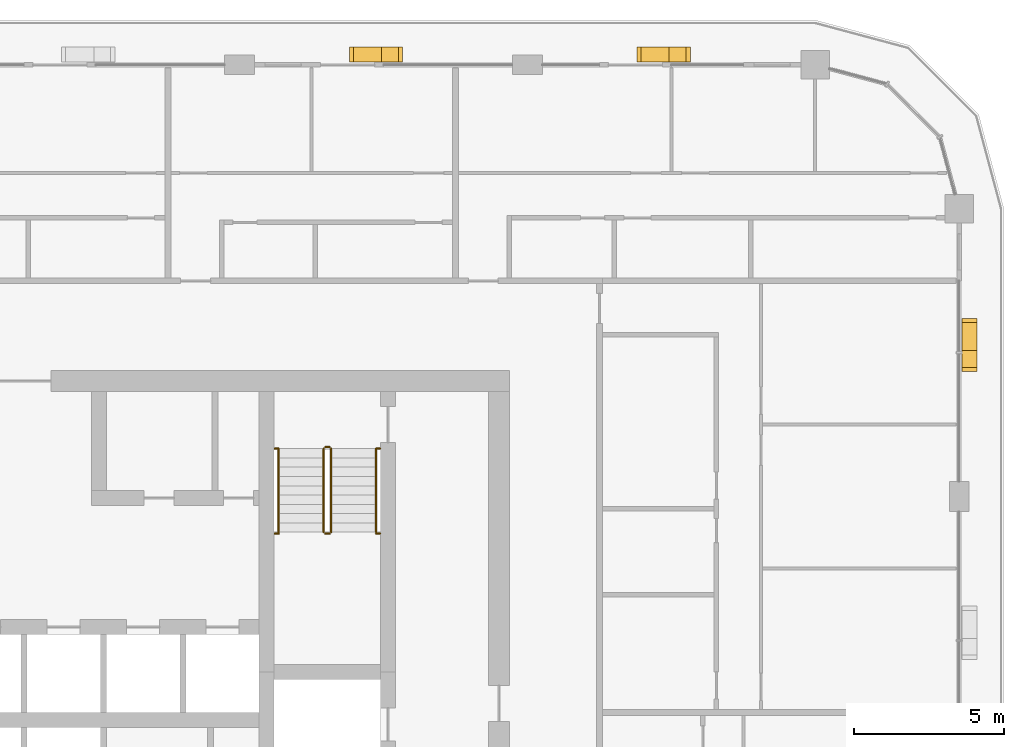
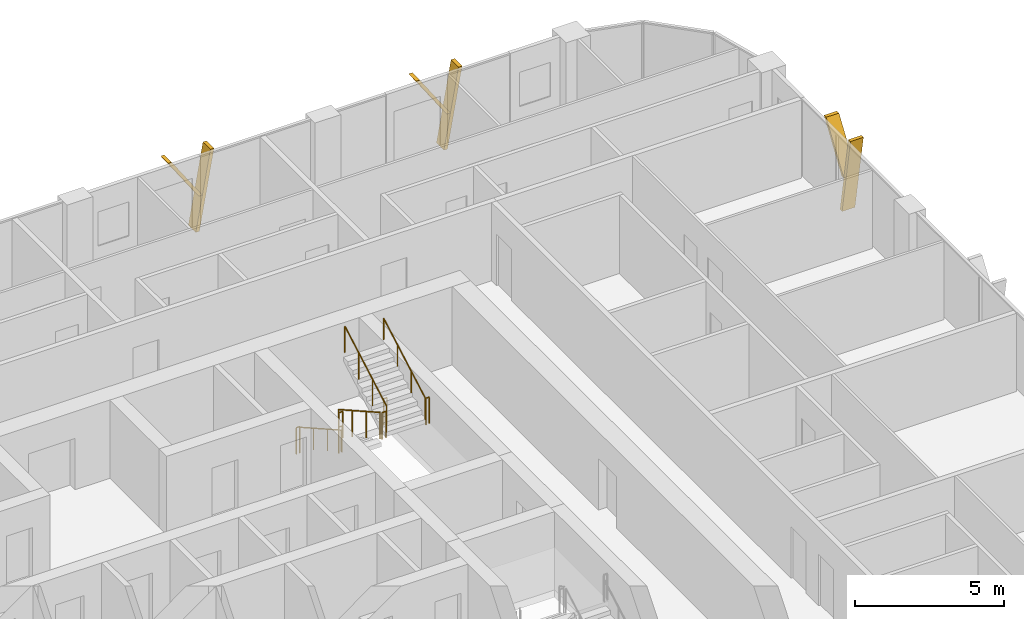
# One storey, part 22 of 22: 10 railings, 6 shading devices.
"""IFC4 building model written with IfcOpenShell, lengths in metres."""

from ifc_helpers import new_model, si_unit, direction, frame, origin, origin_2d, place, context, subcontext, project, spatial, polyline, circle, outline, extrude, material, type_object, element, save


model = new_model("IFC4")

# Units and contexts
model_context = context("Model", 3, precision=1e-05, world=origin(), true_north=direction((0.0, 1.0)))
body_context = subcontext(model_context, "Body", "Model", "MODEL_VIEW")
ifc_project = project(units=[si_unit("LENGTHUNIT", "METRE"), si_unit("AREAUNIT", "SQUARE_METRE"), si_unit("VOLUMEUNIT", "CUBIC_METRE"), si_unit("PLANEANGLEUNIT", "RADIAN"), si_unit("MASSUNIT", "GRAM", prefix="KILO")], contexts=[model_context])

# Site, building, storey
site_placement = place(None, origin())
site = spatial("IfcSite", under=ifc_project, at=site_placement, CompositionType="ELEMENT")
building_placement = place(site_placement, origin())
building = spatial("IfcBuilding", under=site, at=building_placement, Name="Madar Terraces", CompositionType="ELEMENT")
storey_placement = place(building_placement, frame((0.0, 0.0, 192.89990234375)))
storey = spatial("IfcBuildingStorey", under=building, at=storey_placement, Name="L50", CompositionType="ELEMENT", Elevation=192.89990234375)

# Shading devices
ifc_material_1 = material(Name="Aluminium, black anodised", Category="aluminium")
shading_device_type = type_object("IfcShadingDeviceType", Name="Facade fin blade 140 x 500", PredefinedType="USERDEFINED", material=ifc_material_1)
shading_device_1_placement = place(storey_placement, frame((62.75, 38.330078125, 0.0), z_axis=(0.0, 0.0, 1.0), x_axis=(0.0, 1.0, 0.0)))
element("IfcShadingDevice", 1, at=shading_device_1_placement, inside=storey, type_object=shading_device_type, Name="FIN L50 E4", ObjectType="FIN", PredefinedType="USERDEFINED", context=body_context, shape_type="SweptSolid", body=[
    extrude(outline(polyline([(0.0, 0.0), (0.139892578125, 0.0), (-0.42431640625, 3.2001953125), (-0.564208984375, 3.2001953125), (0.0, 0.0)])), frame((0.0, 0.25, 0.0), z_axis=(0.0, -1.0, 0.0), x_axis=(1.0, 0.0, 0.0)), (0.0, 0.0, 1.0), 0.5),
])
shading_device_2_placement = place(storey_placement, frame((62.75, 38.216064453125, 1.440185546875), z_axis=(0.0, 0.0, 1.0), x_axis=(0.0, 1.0, 0.0)))
element("IfcShadingDevice", 2, at=shading_device_2_placement, inside=storey, type_object=shading_device_type, Name="FIN L50 E4 branch", ObjectType="FIN", PredefinedType="USERDEFINED", context=body_context, shape_type="SweptSolid", body=[
    extrude(outline(polyline([(0.0, 0.0), (0.14013671875, 0.0), (1.32958984375, 1.760009765625), (1.189697265625, 1.760009765625), (0.0, 0.0)])), frame((0.0, 0.25, 0.0), z_axis=(0.0, -1.0, 0.0), x_axis=(1.0, 0.0, 0.0)), (0.0, 0.0, 1.0), 0.5),
])
shading_device_3_placement = place(storey_placement, frame((52.8701171875, 48.35009765625, 0.0), z_axis=(0.0, 0.0, 1.0), x_axis=(-1.0, 0.0, 0.0)))
element("IfcShadingDevice", 3, at=shading_device_3_placement, inside=storey, type_object=shading_device_type, Name="FIN L50 N1", ObjectType="FIN", PredefinedType="USERDEFINED", context=body_context, shape_type="SweptSolid", body=[
    extrude(outline(polyline([(0.0, 0.0), (0.14013671875, 0.0), (-0.42431640625, 3.2001953125), (-0.564208984375, 3.2001953125), (0.0, 0.0)])), frame((0.0, 0.25, 0.0), z_axis=(0.0, -1.0, 0.0), x_axis=(1.0, 0.0, 0.0)), (0.0, 0.0, 1.0), 0.5),
])
shading_device_4_placement = place(storey_placement, frame((52.98388671875, 48.35009765625, 1.440185546875), z_axis=(0.0, 0.0, 1.0), x_axis=(-1.0, 0.0, 0.0)))
element("IfcShadingDevice", 4, at=shading_device_4_placement, inside=storey, type_object=shading_device_type, Name="FIN L50 N1 branch", ObjectType="FIN", PredefinedType="USERDEFINED", context=body_context, shape_type="SweptSolid", body=[
    extrude(outline(polyline([(0.0, 0.0), (0.139892578125, 0.0), (1.32958984375, 1.760009765625), (1.189697265625, 1.760009765625), (0.0, 0.0)])), frame((0.0, 0.25, 0.0), z_axis=(0.0, -1.0, 0.0), x_axis=(1.0, 0.0, 0.0)), (0.0, 0.0, 1.0), 0.5),
])
shading_device_5_placement = place(storey_placement, frame((43.27001953125, 48.35009765625, 0.0), z_axis=(0.0, 0.0, 1.0), x_axis=(-1.0, 0.0, 0.0)))
element("IfcShadingDevice", 5, at=shading_device_5_placement, inside=storey, type_object=shading_device_type, Name="FIN L50 N2", ObjectType="FIN", PredefinedType="USERDEFINED", context=body_context, shape_type="SweptSolid", body=[
    extrude(outline(polyline([(0.0, 0.0), (0.14013671875, 0.0), (-0.42431640625, 3.2001953125), (-0.564208984375, 3.2001953125), (0.0, 0.0)])), frame((0.0, 0.25, 0.0), z_axis=(0.0, -1.0, 0.0), x_axis=(1.0, 0.0, 0.0)), (0.0, 0.0, 1.0), 0.5),
])
shading_device_6_placement = place(storey_placement, frame((43.3837890625, 48.35009765625, 1.440185546875), z_axis=(0.0, 0.0, 1.0), x_axis=(-1.0, 0.0, 0.0)))
element("IfcShadingDevice", 6, at=shading_device_6_placement, inside=storey, type_object=shading_device_type, Name="FIN L50 N2 branch", ObjectType="FIN", PredefinedType="USERDEFINED", context=body_context, shape_type="SweptSolid", body=[
    extrude(outline(polyline([(0.0, 0.0), (0.139892578125, 0.0), (1.32958984375, 1.760009765625), (1.189697265625, 1.760009765625), (0.0, 0.0)])), frame((0.0, 0.25, 0.0), z_axis=(0.0, -1.0, 0.0), x_axis=(1.0, 0.0, 0.0)), (0.0, 0.0, 1.0), 0.5),
])

# Railings
ifc_material_2 = material(Name="Stainless steel railing", Category="steel")
railing_type_1 = type_object("IfcRailingType", Name="Stair guard 1100", PredefinedType="GUARDRAIL", material=ifc_material_2)
railing_1_placement = place(storey_placement, frame((41.199951171875, 35.199951171875, 0.175048828125)))
element("IfcRailing", 7, at=railing_1_placement, inside=storey, type_object=railing_type_1, Name="L50 ST2 stair guard 1", PredefinedType="GUARDRAIL", context=body_context, shape_type="SweptSolid", body=[
    extrude(circle(Radius=0.02392578125, at=origin_2d()), frame((0.0, 0.0, 1.076171875), z_axis=(0.0, -0.870833779661, 0.491577591232), x_axis=(1.0, 0.0, 0.0)), (0.0, 0.0, 1.0), 3.203857421875),
    extrude(circle(Radius=0.02099609375, at=origin_2d()), origin(), (0.0, 0.0, 1.0), 1.052001953125),
    extrude(circle(Radius=0.02099609375, at=origin_2d()), frame((0.0, -0.929931640625, 0.52490234375)), (0.0, 0.0, 1.0), 1.052001953125),
    extrude(circle(Radius=0.02099609375, at=origin_2d()), frame((0.0, -1.860107421875, 1.050048828125)), (0.0, 0.0, 1.0), 1.052001953125),
    extrude(circle(Radius=0.02099609375, at=origin_2d()), frame((0.0, -2.7900390625, 1.574951171875)), (0.0, 0.0, 1.0), 1.052001953125),
])
railing_2_placement = place(storey_placement, frame((41.25, 32.360107421875, 1.75)))
element("IfcRailing", 8, at=railing_2_placement, inside=storey, type_object=railing_type_1, Name="L50 ST2 stair guard 2", PredefinedType="GUARDRAIL", context=body_context, shape_type="SweptSolid", body=[
    extrude(circle(Radius=0.02392578125, at=origin_2d()), frame((0.0, 0.0, 1.076171875), z_axis=(1.0, 0.0, 0.0), x_axis=(0.0, 1.0, 0.0)), (0.0, 0.0, 1.0), 0.14990234375),
    extrude(circle(Radius=0.02099609375, at=origin_2d()), origin(), (0.0, 0.0, 1.0), 1.052001953125),
    extrude(circle(Radius=0.02099609375, at=origin_2d()), frame((0.14990234375, 0.0, 0.0)), (0.0, 0.0, 1.0), 1.052001953125),
])
railing_3_placement = place(storey_placement, frame((41.449951171875, 32.409912109375, 1.925048828125)))
element("IfcRailing", 9, at=railing_3_placement, inside=storey, type_object=railing_type_1, Name="L50 ST2 stair guard 3", PredefinedType="GUARDRAIL", context=body_context, shape_type="SweptSolid", body=[
    extrude(circle(Radius=0.02392578125, at=origin_2d()), frame((0.0, 0.0, 1.076171875), z_axis=(0.0, 0.870833779661, 0.491577591232), x_axis=(-1.0, 0.0, 0.0)), (0.0, 0.0, 1.0), 3.203857421875),
    extrude(circle(Radius=0.02099609375, at=origin_2d()), origin(), (0.0, 0.0, 1.0), 1.052001953125),
    extrude(circle(Radius=0.02099609375, at=origin_2d()), frame((0.0, 0.929931640625, 0.52490234375)), (0.0, 0.0, 1.0), 1.052001953125),
    extrude(circle(Radius=0.02099609375, at=origin_2d()), frame((0.0, 1.860107421875, 1.050048828125)), (0.0, 0.0, 1.0), 1.052001953125),
    extrude(circle(Radius=0.02099609375, at=origin_2d()), frame((0.0, 2.7900390625, 1.574951171875)), (0.0, 0.0, 1.0), 1.052001953125),
])
railing_4_placement = place(storey_placement, frame((41.25, 35.25, 0.0)))
element("IfcRailing", 10, at=railing_4_placement, inside=storey, type_object=railing_type_1, Name="L50 ST2 stair guard 4", PredefinedType="GUARDRAIL", context=body_context, shape_type="SweptSolid", body=[
    extrude(circle(Radius=0.02392578125, at=origin_2d()), frame((0.0, 0.0, 1.076171875), z_axis=(1.0, 0.0, 0.0), x_axis=(0.0, 1.0, 0.0)), (0.0, 0.0, 1.0), 0.14990234375),
    extrude(circle(Radius=0.02099609375, at=origin_2d()), origin(), (0.0, 0.0, 1.0), 1.052001953125),
    extrude(circle(Radius=0.02099609375, at=origin_2d()), frame((0.14990234375, 0.0, 0.0)), (0.0, 0.0, 1.0), 1.052001953125),
])
railing_5_placement = place(storey_placement, frame((39.570068359375, 32.360107421875, 1.75)))
element("IfcRailing", 11, at=railing_5_placement, inside=storey, type_object=railing_type_1, Name="L50 stair guard seat 1", PredefinedType="GUARDRAIL", context=body_context, shape_type="SweptSolid", body=[
    extrude(circle(Radius=0.02392578125, at=origin_2d()), frame((0.0, 0.0, 1.076171875), z_axis=(1.0, 0.0, 0.0), x_axis=(0.0, 1.0, 0.0)), (0.0, 0.0, 1.0), 0.1298828125),
    extrude(circle(Radius=0.02099609375, at=origin_2d()), origin(), (0.0, 0.0, 1.0), 1.052001953125),
    extrude(circle(Radius=0.02099609375, at=origin_2d()), frame((0.1298828125, 0.0, 0.0)), (0.0, 0.0, 1.0), 1.052001953125),
])
railing_6_placement = place(storey_placement, frame((42.949951171875, 32.360107421875, 1.75)))
element("IfcRailing", 12, at=railing_6_placement, inside=storey, type_object=railing_type_1, Name="L50 stair guard seat 2", PredefinedType="GUARDRAIL", context=body_context, shape_type="SweptSolid", body=[
    extrude(circle(Radius=0.02392578125, at=origin_2d()), frame((0.0, 0.0, 1.076171875), z_axis=(1.0, 0.0, 0.0), x_axis=(0.0, 1.0, 0.0)), (0.0, 0.0, 1.0), 0.130126953125),
    extrude(circle(Radius=0.02099609375, at=origin_2d()), origin(), (0.0, 0.0, 1.0), 1.052001953125),
    extrude(circle(Radius=0.02099609375, at=origin_2d()), frame((0.130126953125, 0.0, 0.0)), (0.0, 0.0, 1.0), 1.052001953125),
])
railing_7_placement = place(storey_placement, frame((39.570068359375, 35.199951171875, 0.0)))
element("IfcRailing", 13, at=railing_7_placement, inside=storey, type_object=railing_type_1, Name="L50 stair guard floor 1", PredefinedType="GUARDRAIL", context=body_context, shape_type="SweptSolid", body=[
    extrude(circle(Radius=0.02392578125, at=origin_2d()), frame((0.0, 0.0, 1.076171875), z_axis=(1.0, 0.0, 0.0), x_axis=(0.0, 1.0, 0.0)), (0.0, 0.0, 1.0), 0.1298828125),
    extrude(circle(Radius=0.02099609375, at=origin_2d()), origin(), (0.0, 0.0, 1.0), 1.052001953125),
    extrude(circle(Radius=0.02099609375, at=origin_2d()), frame((0.1298828125, 0.0, 0.0)), (0.0, 0.0, 1.0), 1.052001953125),
])
railing_8_placement = place(storey_placement, frame((42.949951171875, 35.199951171875, 0.0)))
element("IfcRailing", 14, at=railing_8_placement, inside=storey, type_object=railing_type_1, Name="L50 stair guard floor 2", PredefinedType="GUARDRAIL", context=body_context, shape_type="SweptSolid", body=[
    extrude(circle(Radius=0.02392578125, at=origin_2d()), frame((0.0, 0.0, 1.076171875), z_axis=(1.0, 0.0, 0.0), x_axis=(0.0, 1.0, 0.0)), (0.0, 0.0, 1.0), 0.130126953125),
    extrude(circle(Radius=0.02099609375, at=origin_2d()), origin(), (0.0, 0.0, 1.0), 1.052001953125),
    extrude(circle(Radius=0.02099609375, at=origin_2d()), frame((0.130126953125, 0.0, 0.0)), (0.0, 0.0, 1.0), 1.052001953125),
])
ifc_material_3 = material(Name="Stainless steel railing", Category="steel")
railing_type_2 = type_object("IfcRailingType", Name="Stair handrail 900", PredefinedType="HANDRAIL", material=ifc_material_3)
railing_9_placement = place(storey_placement, frame((39.699951171875, 35.199951171875, 0.175048828125)))
element("IfcRailing", 15, at=railing_9_placement, inside=storey, type_object=railing_type_2, Name="L50 ST2 stair handrail 1", PredefinedType="HANDRAIL", context=body_context, shape_type="SweptSolid", body=[
    extrude(circle(Radius=0.02392578125, at=origin_2d()), frame((0.0, 0.0, 0.8759765625), z_axis=(0.0, -0.870833779661, 0.491577591232), x_axis=(1.0, 0.0, 0.0)), (0.0, 0.0, 1.0), 3.203857421875),
    extrude(circle(Radius=0.02099609375, at=origin_2d()), origin(), (0.0, 0.0, 1.0), 0.851806640625),
    extrude(circle(Radius=0.02099609375, at=origin_2d()), frame((0.0, -0.929931640625, 0.52490234375)), (0.0, 0.0, 1.0), 0.851806640625),
    extrude(circle(Radius=0.02099609375, at=origin_2d()), frame((0.0, -1.860107421875, 1.050048828125)), (0.0, 0.0, 1.0), 0.851806640625),
    extrude(circle(Radius=0.02099609375, at=origin_2d()), frame((0.0, -2.7900390625, 1.574951171875)), (0.0, 0.0, 1.0), 0.851806640625),
])
railing_10_placement = place(storey_placement, frame((42.949951171875, 32.409912109375, 1.925048828125)))
element("IfcRailing", 16, at=railing_10_placement, inside=storey, type_object=railing_type_2, Name="L50 ST2 stair handrail 2", PredefinedType="HANDRAIL", context=body_context, shape_type="SweptSolid", body=[
    extrude(circle(Radius=0.02392578125, at=origin_2d()), frame((0.0, 0.0, 0.8759765625), z_axis=(0.0, 0.870833779661, 0.491577591232), x_axis=(-1.0, 0.0, 0.0)), (0.0, 0.0, 1.0), 3.203857421875),
    extrude(circle(Radius=0.02099609375, at=origin_2d()), origin(), (0.0, 0.0, 1.0), 0.851806640625),
    extrude(circle(Radius=0.02099609375, at=origin_2d()), frame((0.0, 0.929931640625, 0.52490234375)), (0.0, 0.0, 1.0), 0.851806640625),
    extrude(circle(Radius=0.02099609375, at=origin_2d()), frame((0.0, 1.860107421875, 1.050048828125)), (0.0, 0.0, 1.0), 0.851806640625),
    extrude(circle(Radius=0.02099609375, at=origin_2d()), frame((0.0, 2.7900390625, 1.574951171875)), (0.0, 0.0, 1.0), 0.851806640625),
])

save(model, "model.ifc")
